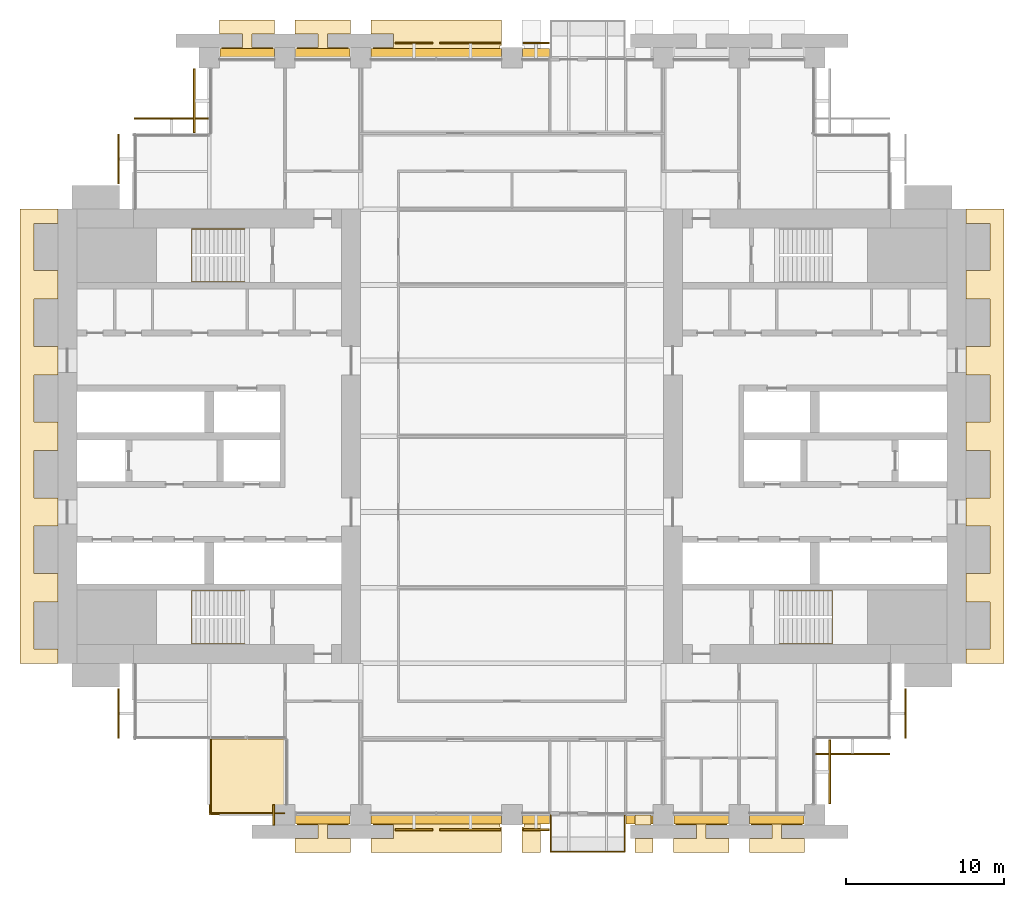
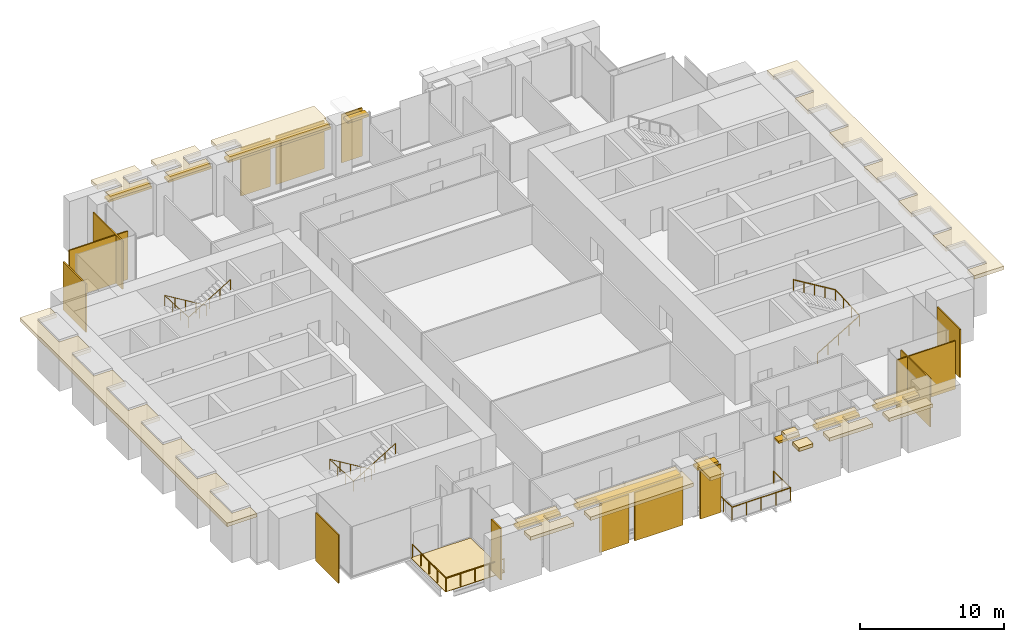
# One storey, part 14 of 15: 27 coverings, 10 shading devices, 5 railings.
"""IFC4 building model written with IfcOpenShell, lengths in metres."""

from ifc_helpers import new_model, si_unit, direction, frame, origin, origin_2d, place, context, subcontext, project, spatial, polyline, rectangle, circle, outline, extrude, material, layer, layer_set, type_object, element, save


model = new_model("IFC4")

# Units and contexts
model_context = context("Model", 3, precision=1e-05, world=origin(), true_north=direction((0.0, 1.0)))
body_context = subcontext(model_context, "Body", "Model", "MODEL_VIEW")
ifc_project = project(units=[si_unit("LENGTHUNIT", "METRE"), si_unit("AREAUNIT", "SQUARE_METRE"), si_unit("VOLUMEUNIT", "CUBIC_METRE"), si_unit("PLANEANGLEUNIT", "RADIAN"), si_unit("MASSUNIT", "GRAM", prefix="KILO")], contexts=[model_context])

# Site, building, storey
site_placement = place(None, origin())
site = spatial("IfcSite", under=ifc_project, at=site_placement, CompositionType="ELEMENT")
building_placement = place(site_placement, origin())
building = spatial("IfcBuilding", under=site, at=building_placement, Name="Baori Bourse Tower", CompositionType="ELEMENT")
storey_placement = place(building_placement, frame((0.0, 0.0, 34.60009765625)))
storey = spatial("IfcBuildingStorey", under=building, at=storey_placement, Name="L06", CompositionType="ELEMENT", Elevation=34.60009765625)

# Coverings
ifc_material_1 = material(Name="Pale anodised aluminium", Category="aluminium")
covering_type_1 = type_object("IfcCoveringType", Name="BD1 Pale metal band", PredefinedType="CLADDING", material=ifc_material_1)
covering_1_placement = place(storey_placement, frame((0.0, 0.0, 3.93994140625)))
element("IfcCovering", 1, at=covering_1_placement, inside=storey, type_object=covering_type_1, Name="Pale projecting band L06 1", PredefinedType="CLADDING", context=body_context, shape_type="SweptSolid", body=[
    extrude(outline(polyline([(57.60009765625, 10.5), (57.60009765625, 9.60009765625), (60.0, 9.60009765625), (60.0, 38.39990234375), (57.60009765625, 38.39990234375), (57.60009765625, 37.5), (59.10009765625, 37.5), (59.10009765625, 34.5), (57.60009765625, 34.5), (57.60009765625, 32.699951171875), (59.10009765625, 32.699951171875), (59.10009765625, 29.699951171875), (57.60009765625, 29.699951171875), (57.60009765625, 27.89990234375), (59.10009765625, 27.89990234375), (59.10009765625, 24.89990234375), (57.60009765625, 24.89990234375), (57.60009765625, 23.10009765625), (59.10009765625, 23.10009765625), (59.10009765625, 20.10009765625), (57.60009765625, 20.10009765625), (57.60009765625, 18.300048828125), (59.10009765625, 18.300048828125), (59.10009765625, 15.300048828125), (57.60009765625, 15.300048828125), (57.60009765625, 13.5), (59.10009765625, 13.5), (59.10009765625, 10.5), (57.60009765625, 10.5)])), origin(), (0.0, 0.0, 1.0), 0.300048828125),
])
covering_2_placement = place(storey_placement, frame((0.0, 0.0, 3.93994140625)))
element("IfcCovering", 2, at=covering_2_placement, inside=storey, type_object=covering_type_1, Name="Pale projecting band L06 7", PredefinedType="CLADDING", context=body_context, shape_type="SweptSolid", body=[
    extrude(outline(polyline([(19.969970703125, 48.0), (28.030029296875, 48.0), (28.030029296875, 48.77001953125), (28.14990234375, 48.77001953125), (28.14990234375, 50.39990234375), (19.85009765625, 50.39990234375), (19.85009765625, 49.5), (21.300048828125, 49.5), (21.300048828125, 48.64990234375), (19.969970703125, 48.64990234375), (19.969970703125, 48.0)])), origin(), (0.0, 0.0, 1.0), 0.300048828125),
])
covering_3_placement = place(storey_placement, frame((0.0, 0.0, 3.93994140625)))
element("IfcCovering", 3, at=covering_3_placement, inside=storey, type_object=covering_type_1, Name="Pale projecting band L06 8", PredefinedType="CLADDING", context=body_context, shape_type="SweptSolid", body=[
    extrude(outline(polyline([(15.169921875, 48.0), (18.429931640625, 48.0), (18.429931640625, 48.64990234375), (17.10009765625, 48.64990234375), (17.10009765625, 49.5), (18.550048828125, 49.5), (18.550048828125, 50.39990234375), (15.050048828125, 50.39990234375), (15.050048828125, 49.5), (16.5, 49.5), (16.5, 48.64990234375), (15.169921875, 48.64990234375), (15.169921875, 48.0)])), origin(), (0.0, 0.0, 1.0), 0.300048828125),
])
covering_4_placement = place(storey_placement, frame((0.0, 0.0, 3.93994140625)))
element("IfcCovering", 4, at=covering_4_placement, inside=storey, type_object=covering_type_1, Name="Pale projecting band L06 9", PredefinedType="CLADDING", context=body_context, shape_type="SweptSolid", body=[
    extrude(outline(polyline([(10.3701171875, 48.0), (13.6298828125, 48.0), (13.6298828125, 48.64990234375), (12.300048828125, 48.64990234375), (12.300048828125, 49.5), (13.75, 49.5), (13.75, 50.39990234375), (10.25, 50.39990234375), (10.25, 49.5), (11.699951171875, 49.5), (11.699951171875, 48.64990234375), (10.3701171875, 48.64990234375), (10.3701171875, 48.0)])), origin(), (0.0, 0.0, 1.0), 0.300048828125),
])
covering_5_placement = place(storey_placement, frame((0.0, 0.0, 3.93994140625)))
element("IfcCovering", 5, at=covering_5_placement, inside=storey, type_object=covering_type_1, Name="Pale projecting band L06 10", PredefinedType="CLADDING", context=body_context, shape_type="SweptSolid", body=[
    extrude(outline(polyline([(0.0, 37.5), (0.0, 38.39990234375), (-2.39990234375, 38.39990234375), (-2.39990234375, 9.60009765625), (0.0, 9.60009765625), (0.0, 10.5), (-1.5, 10.5), (-1.5, 13.5), (0.0, 13.5), (0.0, 15.300048828125), (-1.5, 15.300048828125), (-1.5, 18.300048828125), (0.0, 18.300048828125), (0.0, 20.10009765625), (-1.5, 20.10009765625), (-1.5, 23.10009765625), (0.0, 23.10009765625), (0.0, 24.89990234375), (-1.5, 24.89990234375), (-1.5, 27.89990234375), (0.0, 27.89990234375), (0.0, 29.699951171875), (-1.5, 29.699951171875), (-1.5, 32.699951171875), (0.0, 32.699951171875), (0.0, 34.5), (-1.5, 34.5), (-1.5, 37.5), (0.0, 37.5)])), origin(), (0.0, 0.0, 1.0), 0.300048828125),
])
covering_6_placement = place(storey_placement, frame((0.0, 0.0, 3.93994140625)))
element("IfcCovering", 6, at=covering_6_placement, inside=storey, type_object=covering_type_1, Name="Pale projecting band L06 11", PredefinedType="CLADDING", context=body_context, shape_type="SweptSolid", body=[
    extrude(outline(polyline([(18.429931640625, 0.0), (15.169921875, 0.0), (15.169921875, -0.64990234375), (16.5, -0.64990234375), (16.5, -1.5), (15.050048828125, -1.5), (15.050048828125, -2.39990234375), (18.550048828125, -2.39990234375), (18.550048828125, -1.5), (17.10009765625, -1.5), (17.10009765625, -0.64990234375), (18.429931640625, -0.64990234375), (18.429931640625, 0.0)])), origin(), (0.0, 0.0, 1.0), 0.300048828125),
])
covering_7_placement = place(storey_placement, frame((0.0, 0.0, 3.93994140625)))
element("IfcCovering", 7, at=covering_7_placement, inside=storey, type_object=covering_type_1, Name="Pale projecting band L06 12", PredefinedType="CLADDING", context=body_context, shape_type="SweptSolid", body=[
    extrude(outline(polyline([(28.030029296875, 0.0), (19.969970703125, 0.0), (19.969970703125, -0.64990234375), (21.300048828125, -0.64990234375), (21.300048828125, -1.5), (19.85009765625, -1.5), (19.85009765625, -2.39990234375), (28.14990234375, -2.39990234375), (28.14990234375, -0.77001953125), (28.030029296875, -0.77001953125), (28.030029296875, 0.0)])), origin(), (0.0, 0.0, 1.0), 0.300048828125),
])
covering_8_placement = place(storey_placement, frame((0.0, 0.0, 3.93994140625)))
element("IfcCovering", 8, at=covering_8_placement, inside=storey, type_object=covering_type_1, Name="Pale projecting band L06 13", PredefinedType="CLADDING", context=body_context, shape_type="SweptSolid", body=[
    extrude(outline(polyline([(30.60009765625, 0.0), (29.570068359375, 0.0), (29.570068359375, -0.77001953125), (29.449951171875, -0.77001953125), (29.449951171875, -2.39990234375), (30.60009765625, -2.39990234375), (30.60009765625, 0.0)])), origin(), (0.0, 0.0, 1.0), 0.300048828125),
])
covering_9_placement = place(storey_placement, frame((0.0, 0.0, 3.93994140625)))
element("IfcCovering", 9, at=covering_9_placement, inside=storey, type_object=covering_type_1, Name="Pale projecting band L06 14", PredefinedType="CLADDING", context=body_context, shape_type="SweptSolid", body=[
    extrude(outline(polyline([(37.75, -2.39990234375), (37.75, -1.5), (36.60009765625, -1.5), (36.60009765625, -2.39990234375), (37.75, -2.39990234375)])), origin(), (0.0, 0.0, 1.0), 0.300048828125),
])
covering_10_placement = place(storey_placement, frame((0.0, 0.0, 3.93994140625)))
element("IfcCovering", 10, at=covering_10_placement, inside=storey, type_object=covering_type_1, Name="Pale projecting band L06 15", PredefinedType="CLADDING", context=body_context, shape_type="SweptSolid", body=[
    extrude(outline(polyline([(37.6298828125, 0.0), (36.60009765625, 0.0), (36.60009765625, -0.64990234375), (37.6298828125, -0.64990234375), (37.6298828125, 0.0)])), origin(), (0.0, 0.0, 1.0), 0.300048828125),
])
covering_11_placement = place(storey_placement, frame((0.0, 0.0, 3.93994140625)))
element("IfcCovering", 11, at=covering_11_placement, inside=storey, type_object=covering_type_1, Name="Pale projecting band L06 16", PredefinedType="CLADDING", context=body_context, shape_type="SweptSolid", body=[
    extrude(outline(polyline([(42.429931640625, 0.0), (39.169921875, 0.0), (39.169921875, -0.64990234375), (40.5, -0.64990234375), (40.5, -1.5), (39.050048828125, -1.5), (39.050048828125, -2.39990234375), (42.550048828125, -2.39990234375), (42.550048828125, -1.5), (41.10009765625, -1.5), (41.10009765625, -0.64990234375), (42.429931640625, -0.64990234375), (42.429931640625, 0.0)])), origin(), (0.0, 0.0, 1.0), 0.300048828125),
])
covering_12_placement = place(storey_placement, frame((0.0, 0.0, 3.93994140625)))
element("IfcCovering", 12, at=covering_12_placement, inside=storey, type_object=covering_type_1, Name="Pale projecting band L06 17", PredefinedType="CLADDING", context=body_context, shape_type="SweptSolid", body=[
    extrude(outline(polyline([(47.22998046875, 0.0), (43.969970703125, 0.0), (43.969970703125, -0.64990234375), (45.300048828125, -0.64990234375), (45.300048828125, -1.5), (43.85009765625, -1.5), (43.85009765625, -2.39990234375), (47.35009765625, -2.39990234375), (47.35009765625, -1.5), (45.89990234375, -1.5), (45.89990234375, -0.64990234375), (47.22998046875, -0.64990234375), (47.22998046875, 0.0)])), origin(), (0.0, 0.0, 1.0), 0.300048828125),
])

# Shading devices
ifc_material_2 = material(Name="Concrete f'c 40 MPa", Category="concrete")
ifc_layer_1 = layer(ifc_material_2, 0.199951171875)
ifc_layer_set_1 = layer_set([ifc_layer_1], Name="BS1 Brise-soleil ledge")
shading_device_type = type_object("IfcShadingDeviceType", Name="BS1 Brise-soleil ledge", PredefinedType="USERDEFINED", material=ifc_layer_set_1)
shading_device_1_placement = place(storey_placement, frame((30.324951171875, 48.300048828125, 3.73974609375), z_axis=(0.0, 0.0, 1.0), x_axis=(-1.0, 0.0, 0.0)))
element("IfcShadingDevice", 13, at=shading_device_1_placement, inside=storey, type_object=shading_device_type, Name="Brise-soleil ledge L06 4", ObjectType="BRISE SOLEIL", PredefinedType="USERDEFINED", context=body_context, shape_type="SweptSolid", body=[
    extrude(rectangle(XDim=1.7099609375, YDim=0.60009765625, at=origin_2d()), origin(), (0.0, 0.0, 1.0), 0.199951171875),
])
shading_device_2_placement = place(storey_placement, frame((24.0, 48.300048828125, 3.73974609375), z_axis=(0.0, 0.0, 1.0), x_axis=(-1.0, 0.0, 0.0)))
element("IfcShadingDevice", 14, at=shading_device_2_placement, inside=storey, type_object=shading_device_type, Name="Brise-soleil ledge L06 5", ObjectType="BRISE SOLEIL", PredefinedType="USERDEFINED", context=body_context, shape_type="SweptSolid", body=[
    extrude(rectangle(XDim=8.260009765625, YDim=0.60009765625, at=origin_2d()), origin(), (0.0, 0.0, 1.0), 0.199951171875),
])
for number, where, z_axis, x_axis, name in (
    (15, (16.800048828125, 48.300048828125, 3.73974609375), (0.0, 0.0, 1.0), (-1.0, 0.0, 0.0), "Brise-soleil ledge L06 6"),
    (16, (12.0, 48.300048828125, 3.73974609375), (0.0, 0.0, 1.0), (-1.0, 0.0, 0.0), "Brise-soleil ledge L06 7"),
    (17, (16.800048828125, -0.300048828125, 3.73974609375), (0.0, 0.0, 1.0), (1.0, 0.0, 0.0), "Brise-soleil ledge L06 8"),
):
    element("IfcShadingDevice", number, at=place(storey_placement, frame(where, z_axis=z_axis, x_axis=x_axis)), inside=storey, type_object=shading_device_type, Name=name, ObjectType="BRISE SOLEIL", PredefinedType="USERDEFINED", context=body_context, shape_type="SweptSolid", body=[
        extrude(rectangle(XDim=3.4599609375, YDim=0.60009765625, at=origin_2d()), origin(), (0.0, 0.0, 1.0), 0.199951171875),
    ])
shading_device_3_placement = place(storey_placement, frame((24.0, -0.300048828125, 3.73974609375), z_axis=(0.0, 0.0, 1.0), x_axis=(1.0, 0.0, 0.0)))
element("IfcShadingDevice", 18, at=shading_device_3_placement, inside=storey, type_object=shading_device_type, Name="Brise-soleil ledge L06 9", ObjectType="BRISE SOLEIL", PredefinedType="USERDEFINED", context=body_context, shape_type="SweptSolid", body=[
    extrude(rectangle(XDim=8.260009765625, YDim=0.60009765625, at=origin_2d()), origin(), (0.0, 0.0, 1.0), 0.199951171875),
])
for number, where, z_axis, x_axis, name in (
    (19, (30.324951171875, -0.300048828125, 3.73974609375), (0.0, 0.0, 1.0), (1.0, 0.0, 0.0), "Brise-soleil ledge L06 10"),
    (20, (36.875, -0.300048828125, 3.73974609375), (0.0, 0.0, 1.0), (1.0, 0.0, 0.0), "Brise-soleil ledge L06 11"),
):
    element("IfcShadingDevice", number, at=place(storey_placement, frame(where, z_axis=z_axis, x_axis=x_axis)), inside=storey, type_object=shading_device_type, Name=name, ObjectType="BRISE SOLEIL", PredefinedType="USERDEFINED", context=body_context, shape_type="SweptSolid", body=[
        extrude(rectangle(XDim=1.7099609375, YDim=0.60009765625, at=origin_2d()), origin(), (0.0, 0.0, 1.0), 0.199951171875),
    ])
for number, where, z_axis, x_axis, name in (
    (21, (40.800048828125, -0.300048828125, 3.73974609375), (0.0, 0.0, 1.0), (1.0, 0.0, 0.0), "Brise-soleil ledge L06 12"),
    (22, (45.60009765625, -0.300048828125, 3.73974609375), (0.0, 0.0, 1.0), (1.0, 0.0, 0.0), "Brise-soleil ledge L06 13"),
):
    element("IfcShadingDevice", number, at=place(storey_placement, frame(where, z_axis=z_axis, x_axis=x_axis)), inside=storey, type_object=shading_device_type, Name=name, ObjectType="BRISE SOLEIL", PredefinedType="USERDEFINED", context=body_context, shape_type="SweptSolid", body=[
        extrude(rectangle(XDim=3.4599609375, YDim=0.60009765625, at=origin_2d()), origin(), (0.0, 0.0, 1.0), 0.199951171875),
    ])

# Railings
ifc_material_3 = material(Name="Powder-coated steel balustrade", Category="steel")
railing_type_1 = type_object("IfcRailingType", Name="Core stair handrail", PredefinedType="HANDRAIL", material=ifc_material_3)
railing_1_placement = place(storey_placement, frame((11.85009765625, 14.199951171875, 0.169189453125)))
element("IfcRailing", 23, at=railing_1_placement, inside=storey, type_object=railing_type_1, Name="L06 ST1 stair handrail 1", PredefinedType="HANDRAIL", context=body_context, shape_type="SweptSolid", body=[
    extrude(circle(Radius=0.02392578125, at=origin_2d()), frame((0.0, 0.0, 0.8759765625), z_axis=(-0.855836976705, 0.0, 0.517245656632), x_axis=(0.0, -1.0, 0.0)), (0.0, 0.0, 1.0), 3.926025390625),
    extrude(circle(Radius=0.02392578125, at=origin_2d()), frame((-3.360107421875, 0.0, 2.90673828125), z_axis=(0.0, -0.998726980575, 0.050442227064), x_axis=(1.0, 0.0, 0.0)), (0.0, 0.0, 1.0), 3.35400390625),
    extrude(circle(Radius=0.02392578125, at=origin_2d()), frame((-3.360107421875, -3.349853515625, 3.07568359375), z_axis=(0.855836976705, 0.0, 0.517245656632), x_axis=(0.0, 1.0, 0.0)), (0.0, 0.0, 1.0), 3.926025390625),
    extrude(circle(Radius=0.02099609375, at=origin_2d()), origin(), (0.0, 0.0, 1.0), 0.851806640625),
    extrude(circle(Radius=0.02099609375, at=origin_2d()), frame((-0.840087890625, 0.0, 0.5078125)), (0.0, 0.0, 1.0), 0.851806640625),
    extrude(circle(Radius=0.02099609375, at=origin_2d()), frame((-1.68017578125, 0.0, 1.015380859375)), (0.0, 0.0, 1.0), 0.851806640625),
    extrude(circle(Radius=0.02099609375, at=origin_2d()), frame((-2.52001953125, 0.0, 1.52294921875)), (0.0, 0.0, 1.0), 0.851806640625),
    extrude(circle(Radius=0.02099609375, at=origin_2d()), frame((-3.360107421875, 0.0, 2.03076171875)), (0.0, 0.0, 1.0), 0.851806640625),
    extrude(circle(Radius=0.02099609375, at=origin_2d()), frame((-3.360107421875, -1.11669921875, 2.087158203125)), (0.0, 0.0, 1.0), 0.851806640625),
    extrude(circle(Radius=0.02099609375, at=origin_2d()), frame((-3.360107421875, -2.233154296875, 2.1435546875)), (0.0, 0.0, 1.0), 0.851806640625),
    extrude(circle(Radius=0.02099609375, at=origin_2d()), frame((-3.360107421875, -3.349853515625, 2.199951171875)), (0.0, 0.0, 1.0), 0.851806640625),
    extrude(circle(Radius=0.02099609375, at=origin_2d()), frame((-2.52001953125, -3.349853515625, 2.70751953125)), (0.0, 0.0, 1.0), 0.851806640625),
    extrude(circle(Radius=0.02099609375, at=origin_2d()), frame((-1.68017578125, -3.349853515625, 3.21533203125)), (0.0, 0.0, 1.0), 0.851806640625),
    extrude(circle(Radius=0.02099609375, at=origin_2d()), frame((-0.840087890625, -3.349853515625, 3.72314453125)), (0.0, 0.0, 1.0), 0.851806640625),
    extrude(circle(Radius=0.02099609375, at=origin_2d()), frame((0.0, -3.349853515625, 4.230712890625)), (0.0, 0.0, 1.0), 0.851806640625),
])
railing_2_placement = place(storey_placement, frame((11.85009765625, 37.14990234375, 0.169189453125)))
element("IfcRailing", 24, at=railing_2_placement, inside=storey, type_object=railing_type_1, Name="L06 ST2 stair handrail 1", PredefinedType="HANDRAIL", context=body_context, shape_type="SweptSolid", body=[
    extrude(circle(Radius=0.02392578125, at=origin_2d()), frame((0.0, 0.0, 0.8759765625), z_axis=(-0.855836976705, 0.0, 0.517245656632), x_axis=(0.0, -1.0, 0.0)), (0.0, 0.0, 1.0), 3.926025390625),
    extrude(circle(Radius=0.02392578125, at=origin_2d()), frame((-3.360107421875, 0.0, 2.90673828125), z_axis=(0.0, -0.998726980575, 0.050442227064), x_axis=(1.0, 0.0, 0.0)), (0.0, 0.0, 1.0), 3.35400390625),
    extrude(circle(Radius=0.02392578125, at=origin_2d()), frame((-3.360107421875, -3.349853515625, 3.07568359375), z_axis=(0.855836976705, 0.0, 0.517245656632), x_axis=(0.0, 1.0, 0.0)), (0.0, 0.0, 1.0), 3.926025390625),
    extrude(circle(Radius=0.02099609375, at=origin_2d()), origin(), (0.0, 0.0, 1.0), 0.851806640625),
    extrude(circle(Radius=0.02099609375, at=origin_2d()), frame((-0.840087890625, 0.0, 0.5078125)), (0.0, 0.0, 1.0), 0.851806640625),
    extrude(circle(Radius=0.02099609375, at=origin_2d()), frame((-1.68017578125, 0.0, 1.015380859375)), (0.0, 0.0, 1.0), 0.851806640625),
    extrude(circle(Radius=0.02099609375, at=origin_2d()), frame((-2.52001953125, 0.0, 1.52294921875)), (0.0, 0.0, 1.0), 0.851806640625),
    extrude(circle(Radius=0.02099609375, at=origin_2d()), frame((-3.360107421875, 0.0, 2.03076171875)), (0.0, 0.0, 1.0), 0.851806640625),
    extrude(circle(Radius=0.02099609375, at=origin_2d()), frame((-3.360107421875, -1.11669921875, 2.087158203125)), (0.0, 0.0, 1.0), 0.851806640625),
    extrude(circle(Radius=0.02099609375, at=origin_2d()), frame((-3.360107421875, -2.233154296875, 2.1435546875)), (0.0, 0.0, 1.0), 0.851806640625),
    extrude(circle(Radius=0.02099609375, at=origin_2d()), frame((-3.360107421875, -3.349853515625, 2.199951171875)), (0.0, 0.0, 1.0), 0.851806640625),
    extrude(circle(Radius=0.02099609375, at=origin_2d()), frame((-2.52001953125, -3.349853515625, 2.70751953125)), (0.0, 0.0, 1.0), 0.851806640625),
    extrude(circle(Radius=0.02099609375, at=origin_2d()), frame((-1.68017578125, -3.349853515625, 3.21533203125)), (0.0, 0.0, 1.0), 0.851806640625),
    extrude(circle(Radius=0.02099609375, at=origin_2d()), frame((-0.840087890625, -3.349853515625, 3.72314453125)), (0.0, 0.0, 1.0), 0.851806640625),
    extrude(circle(Radius=0.02099609375, at=origin_2d()), frame((0.0, -3.349853515625, 4.230712890625)), (0.0, 0.0, 1.0), 0.851806640625),
])
railing_3_placement = place(storey_placement, frame((45.75, 10.85009765625, 0.169189453125)))
element("IfcRailing", 25, at=railing_3_placement, inside=storey, type_object=railing_type_1, Name="L06 ST3 stair handrail 1", PredefinedType="HANDRAIL", context=body_context, shape_type="SweptSolid", body=[
    extrude(circle(Radius=0.02392578125, at=origin_2d()), frame((0.0, 0.0, 0.8759765625), z_axis=(0.855836976705, 0.0, 0.517245656632), x_axis=(0.0, 1.0, 0.0)), (0.0, 0.0, 1.0), 3.926025390625),
    extrude(circle(Radius=0.02392578125, at=origin_2d()), frame((3.360107421875, 0.0, 2.90673828125), z_axis=(0.0, 0.998726980575, 0.050442227064), x_axis=(-1.0, 0.0, 0.0)), (0.0, 0.0, 1.0), 3.35400390625),
    extrude(circle(Radius=0.02392578125, at=origin_2d()), frame((3.360107421875, 3.349853515625, 3.07568359375), z_axis=(-0.855836976705, 0.0, 0.517245656632), x_axis=(0.0, -1.0, 0.0)), (0.0, 0.0, 1.0), 3.926025390625),
    extrude(circle(Radius=0.02099609375, at=origin_2d()), origin(), (0.0, 0.0, 1.0), 0.851806640625),
    extrude(circle(Radius=0.02099609375, at=origin_2d()), frame((0.840087890625, 0.0, 0.5078125)), (0.0, 0.0, 1.0), 0.851806640625),
    extrude(circle(Radius=0.02099609375, at=origin_2d()), frame((1.68017578125, 0.0, 1.015380859375)), (0.0, 0.0, 1.0), 0.851806640625),
    extrude(circle(Radius=0.02099609375, at=origin_2d()), frame((2.52001953125, 0.0, 1.52294921875)), (0.0, 0.0, 1.0), 0.851806640625),
    extrude(circle(Radius=0.02099609375, at=origin_2d()), frame((3.360107421875, 0.0, 2.03076171875)), (0.0, 0.0, 1.0), 0.851806640625),
    extrude(circle(Radius=0.02099609375, at=origin_2d()), frame((3.360107421875, 1.11669921875, 2.087158203125)), (0.0, 0.0, 1.0), 0.851806640625),
    extrude(circle(Radius=0.02099609375, at=origin_2d()), frame((3.360107421875, 2.233154296875, 2.1435546875)), (0.0, 0.0, 1.0), 0.851806640625),
    extrude(circle(Radius=0.02099609375, at=origin_2d()), frame((3.360107421875, 3.349853515625, 2.199951171875)), (0.0, 0.0, 1.0), 0.851806640625),
    extrude(circle(Radius=0.02099609375, at=origin_2d()), frame((2.52001953125, 3.349853515625, 2.70751953125)), (0.0, 0.0, 1.0), 0.851806640625),
    extrude(circle(Radius=0.02099609375, at=origin_2d()), frame((1.68017578125, 3.349853515625, 3.21533203125)), (0.0, 0.0, 1.0), 0.851806640625),
    extrude(circle(Radius=0.02099609375, at=origin_2d()), frame((0.840087890625, 3.349853515625, 3.72314453125)), (0.0, 0.0, 1.0), 0.851806640625),
    extrude(circle(Radius=0.02099609375, at=origin_2d()), frame((0.0, 3.349853515625, 4.230712890625)), (0.0, 0.0, 1.0), 0.851806640625),
])
ifc_material_4 = material(Name="Stainless steel", Category="steel")
railing_type_2 = type_object("IfcRailingType", Name="GD1 Guard", PredefinedType="GUARDRAIL", material=ifc_material_4)
railing_4_placement = place(storey_placement, frame((14.3701171875, 0.10009765625, 0.039794921875)))
element("IfcRailing", 26, at=railing_4_placement, inside=storey, type_object=railing_type_2, Name="Guard terrace SW L06 1", PredefinedType="GUARDRAIL", context=body_context, shape_type="SweptSolid", body=[
    extrude(circle(Radius=0.02392578125, at=origin_2d()), frame((0.0, 0.0, 1.076171875), z_axis=(-1.0, 0.0, 0.0), x_axis=(0.0, -1.0, 0.0)), (0.0, 0.0, 1.0), 4.670166015625),
    extrude(circle(Radius=0.02392578125, at=origin_2d()), frame((-4.670166015625, 0.0, 1.076171875), z_axis=(0.0, 1.0, 0.0), x_axis=(-1.0, 0.0, 0.0)), (0.0, 0.0, 1.0), 4.669921875),
    extrude(circle(Radius=0.02099609375, at=origin_2d()), origin(), (0.0, 0.0, 1.0), 1.052001953125),
    extrude(circle(Radius=0.02099609375, at=origin_2d()), frame((-1.16748046875, 0.0, 0.0)), (0.0, 0.0, 1.0), 1.052001953125),
    extrude(circle(Radius=0.02099609375, at=origin_2d()), frame((-2.3349609375, 0.0, 0.0)), (0.0, 0.0, 1.0), 1.052001953125),
    extrude(circle(Radius=0.02099609375, at=origin_2d()), frame((-3.502685546875, 0.0, 0.0)), (0.0, 0.0, 1.0), 1.052001953125),
    extrude(circle(Radius=0.02099609375, at=origin_2d()), frame((-4.670166015625, 0.0, 0.0)), (0.0, 0.0, 1.0), 1.052001953125),
    extrude(circle(Radius=0.02099609375, at=origin_2d()), frame((-4.670166015625, 1.16748046875, 0.0)), (0.0, 0.0, 1.0), 1.052001953125),
    extrude(circle(Radius=0.02099609375, at=origin_2d()), frame((-4.670166015625, 2.3349609375, 0.0)), (0.0, 0.0, 1.0), 1.052001953125),
    extrude(circle(Radius=0.02099609375, at=origin_2d()), frame((-4.670166015625, 3.50244140625, 0.0)), (0.0, 0.0, 1.0), 1.052001953125),
    extrude(circle(Radius=0.02099609375, at=origin_2d()), frame((-4.670166015625, 4.669921875, 0.0)), (0.0, 0.0, 1.0), 1.052001953125),
])
railing_5_placement = place(storey_placement, frame((31.25, -0.030029296875, 0.0)))
element("IfcRailing", 27, at=railing_5_placement, inside=storey, type_object=railing_type_2, Name="Guard balcony S L06 2", PredefinedType="GUARDRAIL", context=body_context, shape_type="SweptSolid", body=[
    extrude(circle(Radius=0.02392578125, at=origin_2d()), frame((0.0, 0.0, 1.076171875), z_axis=(0.0, -1.0, 0.0), x_axis=(1.0, 0.0, 0.0)), (0.0, 0.0, 1.0), 2.320068359375),
    extrude(circle(Radius=0.02392578125, at=origin_2d()), frame((0.0, -2.320068359375, 1.076171875), z_axis=(1.0, 0.0, 0.0), x_axis=(0.0, 1.0, 0.0)), (0.0, 0.0, 1.0), 4.699951171875),
    extrude(circle(Radius=0.02392578125, at=origin_2d()), frame((4.699951171875, -2.320068359375, 1.076171875), z_axis=(0.0, 1.0, 0.0), x_axis=(-1.0, 0.0, 0.0)), (0.0, 0.0, 1.0), 2.320068359375),
    extrude(circle(Radius=0.02099609375, at=origin_2d()), origin(), (0.0, 0.0, 1.0), 1.052001953125),
    extrude(circle(Radius=0.02099609375, at=origin_2d()), frame((0.0, -1.16015625, 0.0)), (0.0, 0.0, 1.0), 1.052001953125),
    extrude(circle(Radius=0.02099609375, at=origin_2d()), frame((0.0, -2.320068359375, 0.0)), (0.0, 0.0, 1.0), 1.052001953125),
    extrude(circle(Radius=0.02099609375, at=origin_2d()), frame((1.175048828125, -2.320068359375, 0.0)), (0.0, 0.0, 1.0), 1.052001953125),
    extrude(circle(Radius=0.02099609375, at=origin_2d()), frame((2.35009765625, -2.320068359375, 0.0)), (0.0, 0.0, 1.0), 1.052001953125),
    extrude(circle(Radius=0.02099609375, at=origin_2d()), frame((3.52490234375, -2.320068359375, 0.0)), (0.0, 0.0, 1.0), 1.052001953125),
    extrude(circle(Radius=0.02099609375, at=origin_2d()), frame((4.699951171875, -2.320068359375, 0.0)), (0.0, 0.0, 1.0), 1.052001953125),
    extrude(circle(Radius=0.02099609375, at=origin_2d()), frame((4.699951171875, -1.16015625, 0.0)), (0.0, 0.0, 1.0), 1.052001953125),
    extrude(circle(Radius=0.02099609375, at=origin_2d()), frame((4.699951171875, 0.0, 0.0)), (0.0, 0.0, 1.0), 1.052001953125),
])

# Coverings
ifc_material_5 = material(Name="Pale anodised aluminium", Category="aluminium")
ifc_layer_2 = layer(ifc_material_5, 0.10009765625)
ifc_layer_set_2 = layer_set([ifc_layer_2], Name="OS3 Outer skin screen panel")
covering_type_2 = type_object("IfcCoveringType", Name="OS3 Outer skin screen panel", PredefinedType="CLADDING", material=ifc_layer_set_2)
covering_13_placement = place(storey_placement, frame((0.0, 0.0, -0.16015625)))
element("IfcCovering", 28, at=covering_13_placement, inside=storey, type_object=covering_type_2, Name="Outer skin screen L06 4", PredefinedType="CLADDING", context=body_context, shape_type="SweptSolid", body=[
    extrude(outline(polyline([(29.5, 48.89990234375), (31.14990234375, 48.89990234375), (31.14990234375, 49.0), (29.5, 49.0), (29.5, 48.89990234375)])), origin(), (0.0, 0.0, 1.0), 4.10009765625),
])
covering_14_placement = place(storey_placement, frame((0.0, 0.0, -0.16015625)))
element("IfcCovering", 29, at=covering_14_placement, inside=storey, type_object=covering_type_2, Name="Outer skin screen L06 5", PredefinedType="CLADDING", context=body_context, shape_type="SweptSolid", body=[
    extrude(outline(polyline([(24.22509765625, 48.89990234375), (28.10009765625, 48.89990234375), (28.10009765625, 49.0), (24.22509765625, 49.0), (24.22509765625, 48.89990234375)])), origin(), (0.0, 0.0, 1.0), 4.10009765625),
])
covering_15_placement = place(storey_placement, frame((0.0, 0.0, -0.16015625)))
element("IfcCovering", 30, at=covering_15_placement, inside=storey, type_object=covering_type_2, Name="Outer skin screen L06 6", PredefinedType="CLADDING", context=body_context, shape_type="SweptSolid", body=[
    extrude(outline(polyline([(21.39990234375, 48.89990234375), (23.77490234375, 48.89990234375), (23.77490234375, 49.0), (21.39990234375, 49.0), (21.39990234375, 48.89990234375)])), origin(), (0.0, 0.0, 1.0), 4.10009765625),
])
covering_16_placement = place(storey_placement, frame((0.0, 0.0, -0.16015625)))
element("IfcCovering", 31, at=covering_16_placement, inside=storey, type_object=covering_type_2, Name="Outer skin screen L06 7", PredefinedType="CLADDING", context=body_context, shape_type="SweptSolid", body=[
    extrude(outline(polyline([(8.699951171875, 43.25), (8.699951171875, 47.300048828125), (8.60009765625, 47.300048828125), (8.60009765625, 43.25), (8.699951171875, 43.25)])), origin(), (0.0, 0.0, 1.0), 4.10009765625),
])
covering_17_placement = place(storey_placement, frame((0.0, 0.0, -0.16015625)))
element("IfcCovering", 32, at=covering_17_placement, inside=storey, type_object=covering_type_2, Name="Outer skin screen L06 8", PredefinedType="CLADDING", context=body_context, shape_type="SweptSolid", body=[
    extrude(outline(polyline([(4.85009765625, 44.10009765625), (9.550048828125, 44.10009765625), (9.550048828125, 44.199951171875), (4.85009765625, 44.199951171875), (4.85009765625, 44.10009765625)])), origin(), (0.0, 0.0, 1.0), 4.10009765625),
])
covering_18_placement = place(storey_placement, frame((0.0, 0.0, -0.16015625)))
element("IfcCovering", 33, at=covering_18_placement, inside=storey, type_object=covering_type_2, Name="Outer skin screen L06 9", PredefinedType="CLADDING", context=body_context, shape_type="SweptSolid", body=[
    extrude(outline(polyline([(3.89990234375, 40.0), (3.89990234375, 43.14990234375), (3.800048828125, 43.14990234375), (3.800048828125, 40.0), (3.89990234375, 40.0), (3.89990234375, 40.0)])), origin(), (0.0, 0.0, 1.0), 4.10009765625),
])
covering_19_placement = place(storey_placement, frame((0.0, 0.0, -0.16015625)))
element("IfcCovering", 34, at=covering_19_placement, inside=storey, type_object=covering_type_2, Name="Outer skin screen L06 10", PredefinedType="CLADDING", context=body_context, shape_type="SweptSolid", body=[
    extrude(outline(polyline([(3.89990234375, 4.85009765625), (3.89990234375, 8.0), (3.89990234375, 8.0), (3.800048828125, 8.0), (3.800048828125, 4.85009765625), (3.89990234375, 4.85009765625)])), origin(), (0.0, 0.0, 1.0), 4.10009765625),
])
covering_20_placement = place(storey_placement, frame((0.0, 0.0, -0.16015625)))
element("IfcCovering", 35, at=covering_20_placement, inside=storey, type_object=covering_type_2, Name="Outer skin screen L06 11", PredefinedType="CLADDING", context=body_context, shape_type="SweptSolid", body=[
    extrude(outline(polyline([(23.77490234375, -0.89990234375), (21.39990234375, -0.89990234375), (21.39990234375, -1.0), (23.77490234375, -1.0), (23.77490234375, -0.89990234375)])), origin(), (0.0, 0.0, 1.0), 4.10009765625),
])
covering_21_placement = place(storey_placement, frame((0.0, 0.0, -0.16015625)))
element("IfcCovering", 36, at=covering_21_placement, inside=storey, type_object=covering_type_2, Name="Outer skin screen L06 12", PredefinedType="CLADDING", context=body_context, shape_type="SweptSolid", body=[
    extrude(outline(polyline([(28.10009765625, -0.89990234375), (24.22509765625, -0.89990234375), (24.22509765625, -1.0), (28.10009765625, -1.0), (28.10009765625, -0.89990234375)])), origin(), (0.0, 0.0, 1.0), 4.10009765625),
])
covering_22_placement = place(storey_placement, frame((0.0, 0.0, -0.16015625)))
element("IfcCovering", 37, at=covering_22_placement, inside=storey, type_object=covering_type_2, Name="Outer skin screen L06 13", PredefinedType="CLADDING", context=body_context, shape_type="SweptSolid", body=[
    extrude(outline(polyline([(31.14990234375, -0.89990234375), (29.5, -0.89990234375), (29.5, -1.0), (31.14990234375, -1.0), (31.14990234375, -0.89990234375)])), origin(), (0.0, 0.0, 1.0), 4.10009765625),
])
covering_23_placement = place(storey_placement, frame((0.0, 0.0, -0.16015625)))
element("IfcCovering", 38, at=covering_23_placement, inside=storey, type_object=covering_type_2, Name="Outer skin screen L06 14", PredefinedType="CLADDING", context=body_context, shape_type="SweptSolid", body=[
    extrude(outline(polyline([(48.89990234375, 4.75), (48.89990234375, 0.699951171875), (49.0, 0.699951171875), (49.0, 4.75), (48.89990234375, 4.75)])), origin(), (0.0, 0.0, 1.0), 4.10009765625),
])
covering_24_placement = place(storey_placement, frame((0.0, 0.0, -0.16015625)))
element("IfcCovering", 39, at=covering_24_placement, inside=storey, type_object=covering_type_2, Name="Outer skin screen L06 15", PredefinedType="CLADDING", context=body_context, shape_type="SweptSolid", body=[
    extrude(outline(polyline([(52.75, 3.89990234375), (48.050048828125, 3.89990234375), (48.050048828125, 3.800048828125), (52.75, 3.800048828125), (52.75, 3.89990234375)])), origin(), (0.0, 0.0, 1.0), 4.10009765625),
])
covering_25_placement = place(storey_placement, frame((0.0, 0.0, -0.16015625)))
element("IfcCovering", 40, at=covering_25_placement, inside=storey, type_object=covering_type_2, Name="Outer skin screen L06 16", PredefinedType="CLADDING", context=body_context, shape_type="SweptSolid", body=[
    extrude(outline(polyline([(53.699951171875, 8.0), (53.699951171875, 4.85009765625), (53.800048828125, 4.85009765625), (53.800048828125, 8.0), (53.699951171875, 8.0)])), origin(), (0.0, 0.0, 1.0), 4.10009765625),
])
ifc_material_6 = material(Name="Face brick", Category="masonry")
ifc_layer_3 = layer(ifc_material_6, 0.110107421875)
ifc_layer_set_3 = layer_set([ifc_layer_3], Name="PC1 Brick pier facing")
covering_type_3 = type_object("IfcCoveringType", Name="PC1 Brick pier facing", PredefinedType="CLADDING", material=ifc_layer_set_3)
covering_26_placement = place(storey_placement, frame((13.695068359375, 0.0, 0.0), z_axis=(0.0, 0.0, 1.0), x_axis=(1.0, 0.0, 0.0)))
element("IfcCovering", 41, at=covering_26_placement, inside=storey, type_object=covering_type_3, Name="Brick pier facing L06 1", PredefinedType="CLADDING", context=body_context, shape_type="SweptSolid", body=[
    extrude(rectangle(XDim=0.110107421875, YDim=1.300048828125, at=origin_2d()), origin(), (0.0, 0.0, 1.0), 4.39990234375),
])
ifc_material_7 = material(Name="Granite paving", Category="masonry")
ifc_layer_4 = layer(ifc_material_7, 0.0400390625)
ifc_layer_set_4 = layer_set([ifc_layer_4], Name="PV1 Deck paving")
covering_type_4 = type_object("IfcCoveringType", Name="PV1 Deck paving", PredefinedType="FLOORING", material=ifc_layer_set_4)
covering_27_placement = place(storey_placement, origin())
element("IfcCovering", 42, at=covering_27_placement, inside=storey, type_object=covering_type_4, Name="Terrace paving L06 1", PredefinedType="FLOORING", context=body_context, shape_type="SweptSolid", body=[
    extrude(outline(polyline([(14.39990234375, 4.800048828125), (9.60009765625, 4.800048828125), (9.60009765625, 0.0), (14.39990234375, 0.0), (14.39990234375, 4.800048828125)])), origin(), (0.0, 0.0, 1.0), 0.039794921875),
])

save(model, "model.ifc")
